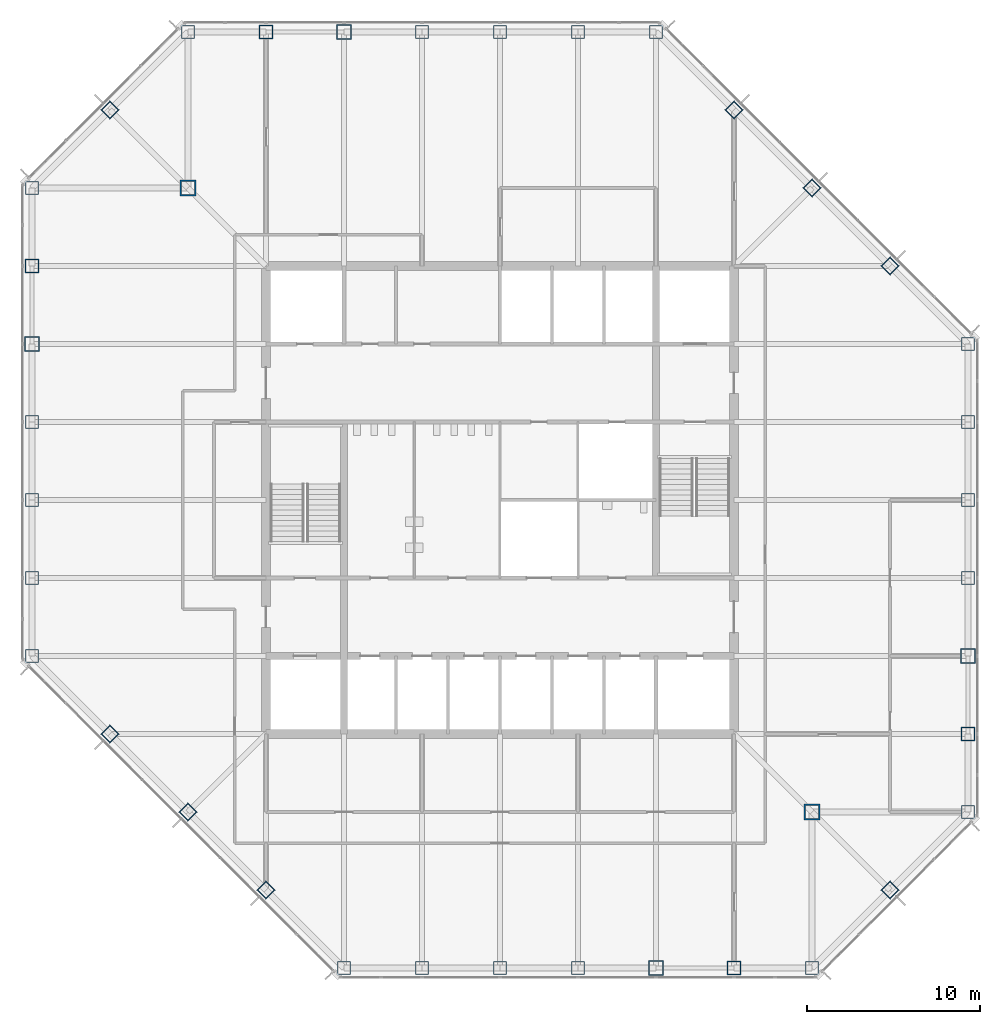
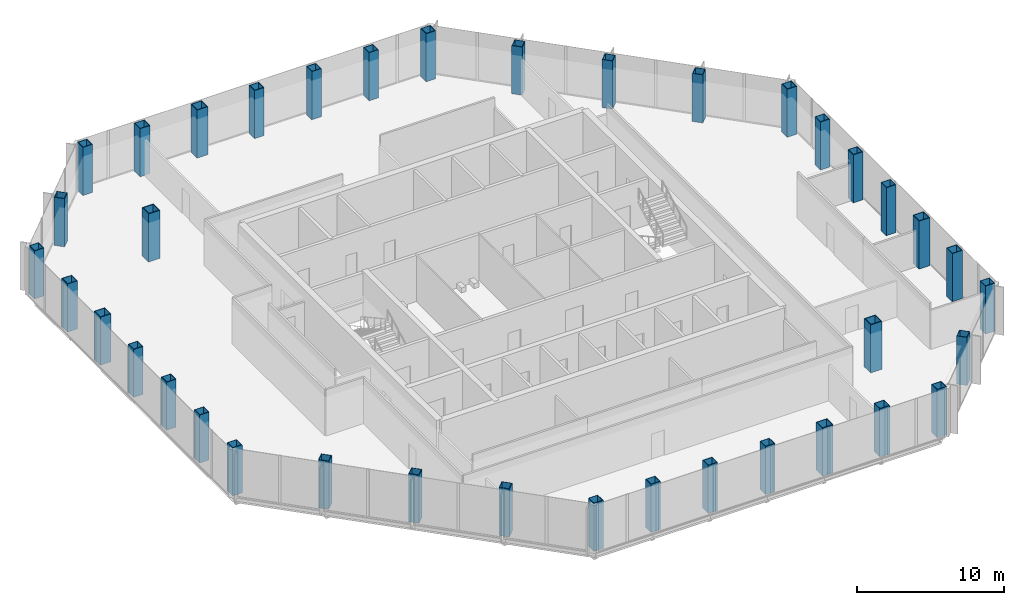
# One storey, part 1 of 12: 38 columns.
"""IFC4 building model written with IfcOpenShell, lengths in metres."""

from ifc_helpers import new_model, si_unit, direction, frame, origin, origin_2d, place, context, subcontext, project, spatial, hollow_rectangle, extrude, material, material_profile, profile_set, type_object, element, save


model = new_model("IFC4")

# Units and contexts
model_context = context("Model", 3, precision=1e-05, world=origin(), true_north=direction((0.0, 1.0)))
body_context = subcontext(model_context, "Body", "Model", "MODEL_VIEW")
ifc_project = project(units=[si_unit("LENGTHUNIT", "METRE"), si_unit("AREAUNIT", "SQUARE_METRE"), si_unit("VOLUMEUNIT", "CUBIC_METRE"), si_unit("PLANEANGLEUNIT", "RADIAN"), si_unit("MASSUNIT", "GRAM", prefix="KILO")], contexts=[model_context])

# Site, building, storey
site_placement = place(None, origin())
site = spatial("IfcSite", under=ifc_project, at=site_placement, CompositionType="ELEMENT")
building_placement = place(site_placement, origin())
building = spatial("IfcBuilding", under=site, at=building_placement, Name="Corais Broadcast Tower", CompositionType="ELEMENT")
storey_placement = place(building_placement, frame((0.0, 0.0, 135.60009765625)))
storey = spatial("IfcBuildingStorey", under=building, at=storey_placement, Name="L30", CompositionType="ELEMENT", Elevation=135.60009765625)

# Columns
ifc_material_1 = material(Name="Steel ASTM A572 Grade 50", Category="steel")
ifc_material_profile_1 = material_profile(ifc_material_1, hollow_rectangle(XDim=0.75, YDim=0.75, WallThickness=0.0400390625, at=origin_2d()), Name="BOX 750x750x40")
ifc_profile_set_1 = profile_set([ifc_material_profile_1], Name="Steel ASTM A572 Grade 50")
column_type_1 = type_object("IfcColumnType", Name="Column BOX 750x750x40", PredefinedType="COLUMN", material=ifc_profile_set_1)
for number, where, z_axis, x_axis, name in (
    (1, (18.0, 0.0, 0.0), (0.0, 0.0, 1.0), (1.0, 0.0, 0.0), "C4 A/7"),
    (2, (22.5, 0.0, 0.0), (0.0, 0.0, 1.0), (1.0, 0.0, 0.0), "C4 A/8"),
    (3, (27.0, 0.0, 0.0), (0.0, 0.0, 1.0), (1.0, 0.0, 0.0), "C4 A/9"),
    (4, (31.5, 0.0, 0.0), (0.0, 0.0, 1.0), (1.0, 0.0, 0.0), "C4 A/10"),
    (5, (45.0, 0.0, 0.0), (0.0, 0.0, 1.0), (1.0, 0.0, 0.0), "C4 A/13"),
    (6, (54.0, 9.0, 0.0), (0.0, 0.0, 1.0), (1.0, 0.0, 0.0), "C4 C/15"),
    (7, (54.0, 22.5, 0.0), (0.0, 0.0, 1.0), (1.0, 0.0, 0.0), "C4 F/15"),
    (8, (54.0, 27.0, 0.0), (0.0, 0.0, 1.0), (1.0, 0.0, 0.0), "C4 G/15"),
    (9, (54.0, 31.5, 0.0), (0.0, 0.0, 1.0), (1.0, 0.0, 0.0), "C4 H/15"),
    (10, (54.0, 36.0, 0.0), (0.0, 0.0, 1.0), (1.0, 0.0, 0.0), "C4 J/15"),
    (11, (36.0, 54.0, 0.0), (0.0, 0.0, 1.0), (1.0, 0.0, 0.0), "C4 N/11"),
    (12, (31.5, 54.0, 0.0), (0.0, 0.0, 1.0), (1.0, 0.0, 0.0), "C4 N/10"),
    (13, (27.0, 54.0, 0.0), (0.0, 0.0, 1.0), (1.0, 0.0, 0.0), "C4 N/9"),
    (14, (22.5, 54.0, 0.0), (0.0, 0.0, 1.0), (1.0, 0.0, 0.0), "C4 N/8"),
    (15, (9.0, 54.0, 0.0), (0.0, 0.0, 1.0), (1.0, 0.0, 0.0), "C4 N/5"),
    (16, (0.0, 45.0, 0.0), (0.0, 0.0, 1.0), (1.0, 0.0, 0.0), "C4 L/3"),
    (17, (0.0, 31.5, 0.0), (0.0, 0.0, 1.0), (1.0, 0.0, 0.0), "C4 H/3"),
    (18, (0.0, 27.0, 0.0), (0.0, 0.0, 1.0), (1.0, 0.0, 0.0), "C4 G/3"),
    (19, (0.0, 22.5, 0.0), (0.0, 0.0, 1.0), (1.0, 0.0, 0.0), "C4 F/3"),
    (20, (0.0, 18.0, 0.0), (0.0, 0.0, 1.0), (1.0, 0.0, 0.0), "C4 E/3"),
    (21, (13.5, 4.5, 0.0), (0.0, 0.0, 1.0), (0.707106781187, 0.707106781187, 0.0), "C4 B/6"),
    (22, (9.0, 9.0, 0.0), (0.0, 0.0, 1.0), (0.707106781187, 0.707106781187, 0.0), "C4 C/5"),
    (23, (4.5, 13.5, 0.0), (0.0, 0.0, 1.0), (0.707106781187, 0.707106781187, 0.0), "C4 D/4"),
    (24, (49.5, 4.5, 0.0), (0.0, 0.0, 1.0), (0.707106781187, 0.707106781187, 0.0), "C4 B/14"),
    (25, (49.5, 40.5, 0.0), (0.0, 0.0, 1.0), (0.707106781187, 0.707106781187, 0.0), "C4 K/14"),
    (26, (45.0, 45.0, 0.0), (0.0, 0.0, 1.0), (0.707106781187, 0.707106781187, 0.0), "C4 L/13"),
    (27, (40.5, 49.5, 0.0), (0.0, 0.0, 1.0), (0.707106781187, 0.707106781187, 0.0), "C4 M/12"),
    (28, (4.5, 49.5, 0.0), (0.0, 0.0, 1.0), (0.707106781187, 0.707106781187, 0.0), "C4 M/4"),
):
    element("IfcColumn", number, at=place(storey_placement, frame(where, z_axis=z_axis, x_axis=x_axis)), inside=storey, type_object=column_type_1, Name=name, PredefinedType="COLUMN", context=body_context, shape_type="SweptSolid", body=[
        extrude(hollow_rectangle(XDim=0.75, YDim=0.75, WallThickness=0.0400390625, at=origin_2d()), origin(), (0.0, 0.0, 1.0), 4.0),
    ])
ifc_material_2 = material(Name="Steel ASTM A572 Grade 50", Category="steel")
ifc_material_profile_2 = material_profile(ifc_material_2, hollow_rectangle(XDim=0.800048828125, YDim=0.800048828125, WallThickness=0.044921875, at=origin_2d()), Name="BOX 800x800x45")
ifc_profile_set_2 = profile_set([ifc_material_profile_2], Name="Steel ASTM A572 Grade 50")
column_type_2 = type_object("IfcColumnType", Name="Column BOX 800x800x45", PredefinedType="COLUMN", material=ifc_profile_set_2)
for number, where, z_axis, x_axis, name in (
    (29, (40.5, 0.0, 0.0), (0.0, 0.0, 1.0), (1.0, 0.0, 0.0), "C3 A/12"),
    (30, (54.0, 13.5, 0.0), (0.0, 0.0, 1.0), (1.0, 0.0, 0.0), "C3 D/15"),
    (31, (13.5, 54.0, 0.0), (0.0, 0.0, 1.0), (1.0, 0.0, 0.0), "C3 N/6"),
    (32, (0.0, 40.5, 0.0), (0.0, 0.0, 1.0), (1.0, 0.0, 0.0), "C3 K/3"),
):
    element("IfcColumn", number, at=place(storey_placement, frame(where, z_axis=z_axis, x_axis=x_axis)), inside=storey, type_object=column_type_2, Name=name, PredefinedType="COLUMN", context=body_context, shape_type="SweptSolid", body=[
        extrude(hollow_rectangle(XDim=0.800048828125, YDim=0.800048828125, WallThickness=0.044921875, at=origin_2d()), origin(), (0.0, 0.0, 1.0), 4.0),
    ])
ifc_material_3 = material(Name="Steel ASTM A572 Grade 50", Category="steel")
ifc_material_profile_3 = material_profile(ifc_material_3, hollow_rectangle(XDim=0.85009765625, YDim=0.85009765625, WallThickness=0.050048828125, at=origin_2d()), Name="BOX 850x850x50")
ifc_profile_set_3 = profile_set([ifc_material_profile_3], Name="Steel ASTM A572 Grade 50")
column_type_3 = type_object("IfcColumnType", Name="Column BOX 850x850x50", PredefinedType="COLUMN", material=ifc_profile_set_3)
for number, where, z_axis, x_axis, name in (
    (33, (36.0, 0.0, 0.0), (0.0, 0.0, 1.0), (1.0, 0.0, 0.0), "C1 A/11"),
    (34, (54.0, 18.0, 0.0), (0.0, 0.0, 1.0), (1.0, 0.0, 0.0), "C1 E/15"),
    (35, (18.0, 54.0, 0.0), (0.0, 0.0, 1.0), (1.0, 0.0, 0.0), "C1 N/7"),
    (36, (0.0, 36.0, 0.0), (0.0, 0.0, 1.0), (1.0, 0.0, 0.0), "C1 J/3"),
):
    element("IfcColumn", number, at=place(storey_placement, frame(where, z_axis=z_axis, x_axis=x_axis)), inside=storey, type_object=column_type_3, Name=name, PredefinedType="COLUMN", context=body_context, shape_type="SweptSolid", body=[
        extrude(hollow_rectangle(XDim=0.85009765625, YDim=0.85009765625, WallThickness=0.050048828125, at=origin_2d()), origin(), (0.0, 0.0, 1.0), 4.0),
    ])
ifc_material_4 = material(Name="Steel ASTM A572 Grade 50", Category="steel")
ifc_material_profile_4 = material_profile(ifc_material_4, hollow_rectangle(XDim=0.89990234375, YDim=0.89990234375, WallThickness=0.06298828125, at=origin_2d()), Name="BOX 900x900x63")
ifc_profile_set_4 = profile_set([ifc_material_profile_4], Name="Steel ASTM A572 Grade 50")
column_type_4 = type_object("IfcColumnType", Name="Column BOX 900x900x63", PredefinedType="COLUMN", material=ifc_profile_set_4)
for number, where, z_axis, x_axis, name in (
    (37, (45.0, 9.0, 0.0), (0.0, 0.0, 1.0), (1.0, 0.0, 0.0), "C2 C/13"),
    (38, (9.0, 45.0, 0.0), (0.0, 0.0, 1.0), (1.0, 0.0, 0.0), "C2 L/5"),
):
    element("IfcColumn", number, at=place(storey_placement, frame(where, z_axis=z_axis, x_axis=x_axis)), inside=storey, type_object=column_type_4, Name=name, PredefinedType="COLUMN", context=body_context, shape_type="SweptSolid", body=[
        extrude(hollow_rectangle(XDim=0.89990234375, YDim=0.89990234375, WallThickness=0.06298828125, at=origin_2d()), origin(), (0.0, 0.0, 1.0), 4.0),
    ])

save(model, "model.ifc")
